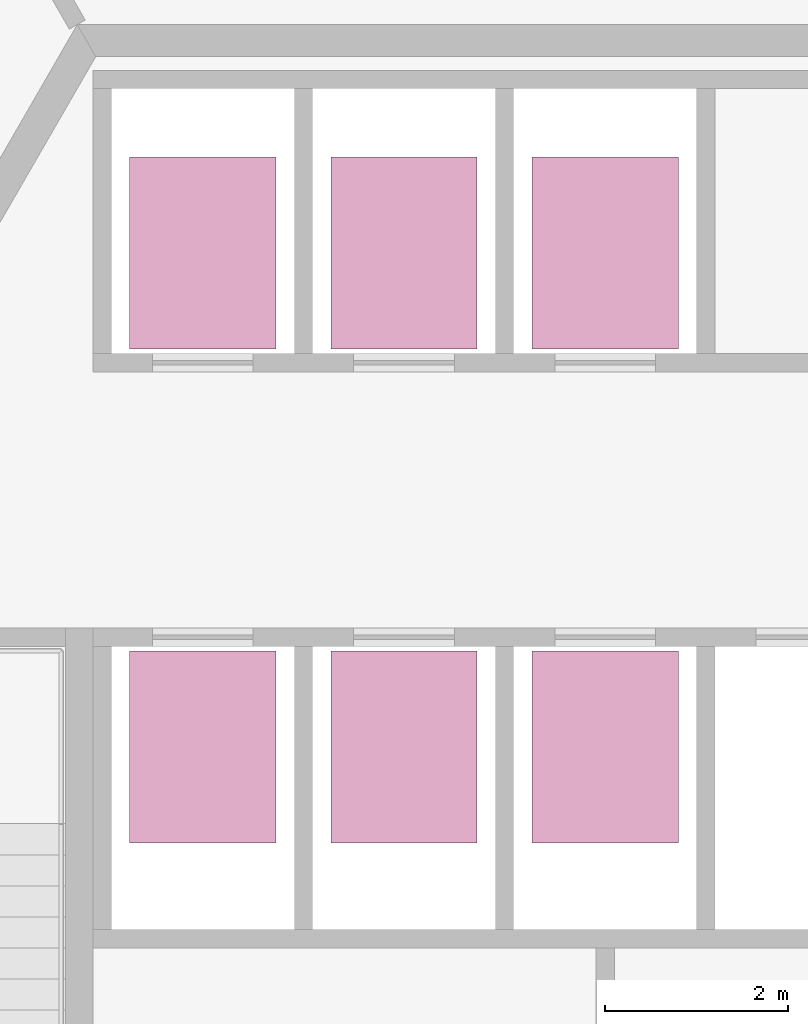
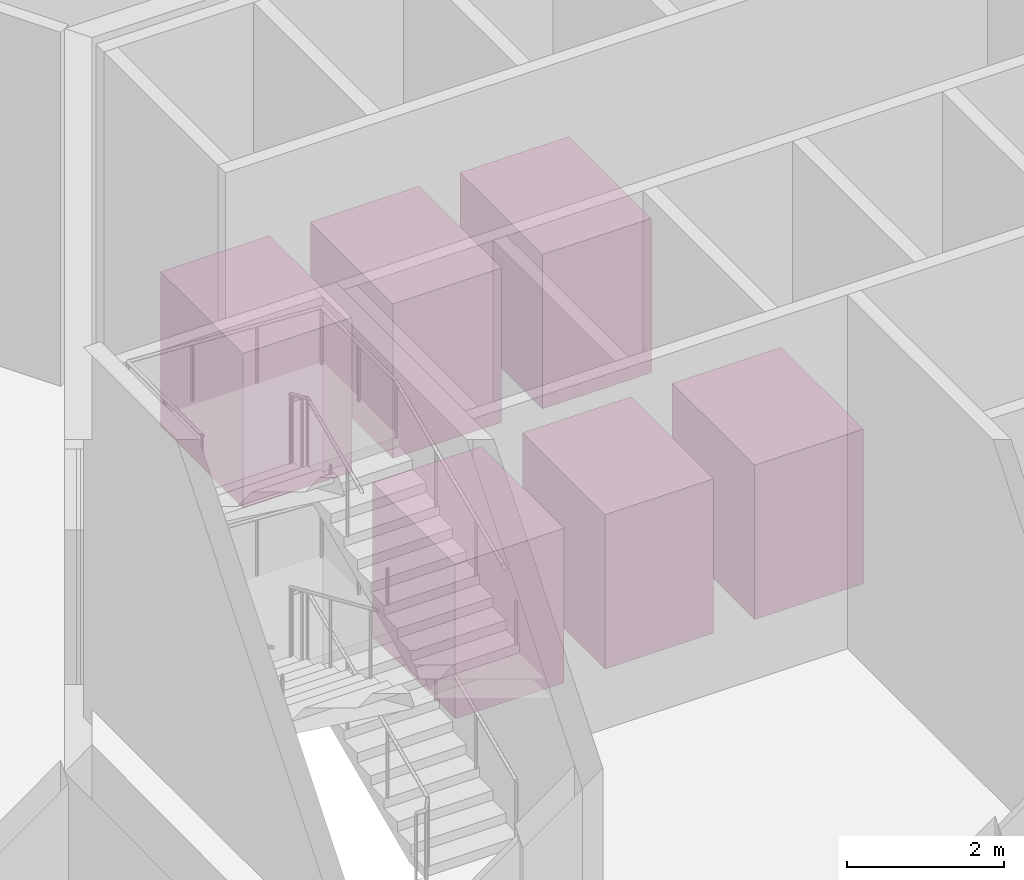
# One storey, part 24 of 24: 6 transport elements.
"""IFC4 building model written with IfcOpenShell, lengths in metres."""

from ifc_helpers import new_model, si_unit, direction, frame, origin, origin_2d, place, context, subcontext, project, spatial, rectangle, extrude, material, type_object, element, save


model = new_model("IFC4")

# Units and contexts
model_context = context("Model", 3, precision=1e-05, world=origin(), true_north=direction((0.0, 1.0)))
body_context = subcontext(model_context, "Body", "Model", "MODEL_VIEW")
ifc_project = project(units=[si_unit("LENGTHUNIT", "METRE"), si_unit("AREAUNIT", "SQUARE_METRE"), si_unit("VOLUMEUNIT", "CUBIC_METRE"), si_unit("PLANEANGLEUNIT", "RADIAN"), si_unit("MASSUNIT", "GRAM", prefix="KILO")], contexts=[model_context])

# Site, building, storey
site_placement = place(None, origin())
site = spatial("IfcSite", under=ifc_project, at=site_placement, CompositionType="ELEMENT")
building_placement = place(site_placement, origin())
building = spatial("IfcBuilding", under=site, at=building_placement, Name="Tarnside Tower", CompositionType="ELEMENT")
storey_placement = place(building_placement, frame((0.0, 0.0, 250.199951171875)))
storey = spatial("IfcBuildingStorey", under=building, at=storey_placement, Name="L60", CompositionType="ELEMENT", Elevation=250.199951171875)

# Transport elements
ifc_material = material(Name="Stainless steel", Category="steel")
transport_element_type = type_object("IfcTransportElementType", Name="Passenger lift car 1600x2100 1600 kg", PredefinedType="ELEVATOR", material=ifc_material)
for number, where, z_axis, x_axis, name in (
    (1, (-4.39990234375, 7.5, 0.0), (0.0, 0.0, 1.0), (1.0, 0.0, 0.0), "High-rise lift 1"),
    (2, (-2.199951171875, 7.5, 0.0), (0.0, 0.0, 1.0), (1.0, 0.0, 0.0), "High-rise lift 2"),
    (3, (0.0, 7.5, 0.0), (0.0, 0.0, 1.0), (1.0, 0.0, 0.0), "High-rise lift 3"),
    (4, (-4.39990234375, 2.10009765625, 0.0), (0.0, 0.0, 1.0), (1.0, 0.0, 0.0), "High-rise lift 4"),
    (5, (-2.199951171875, 2.10009765625, 0.0), (0.0, 0.0, 1.0), (1.0, 0.0, 0.0), "High-rise lift 5"),
    (6, (0.0, 2.10009765625, 0.0), (0.0, 0.0, 1.0), (1.0, 0.0, 0.0), "High-rise lift 6"),
):
    element("IfcTransportElement", number, at=place(storey_placement, frame(where, z_axis=z_axis, x_axis=x_axis)), inside=storey, type_object=transport_element_type, Name=name, PredefinedType="ELEVATOR", context=body_context, shape_type="SweptSolid", body=[
        extrude(rectangle(XDim=1.60009765625, YDim=2.10009765625, at=origin_2d()), origin(), (0.0, 0.0, 1.0), 2.39990234375),
    ])

save(model, "model.ifc")
